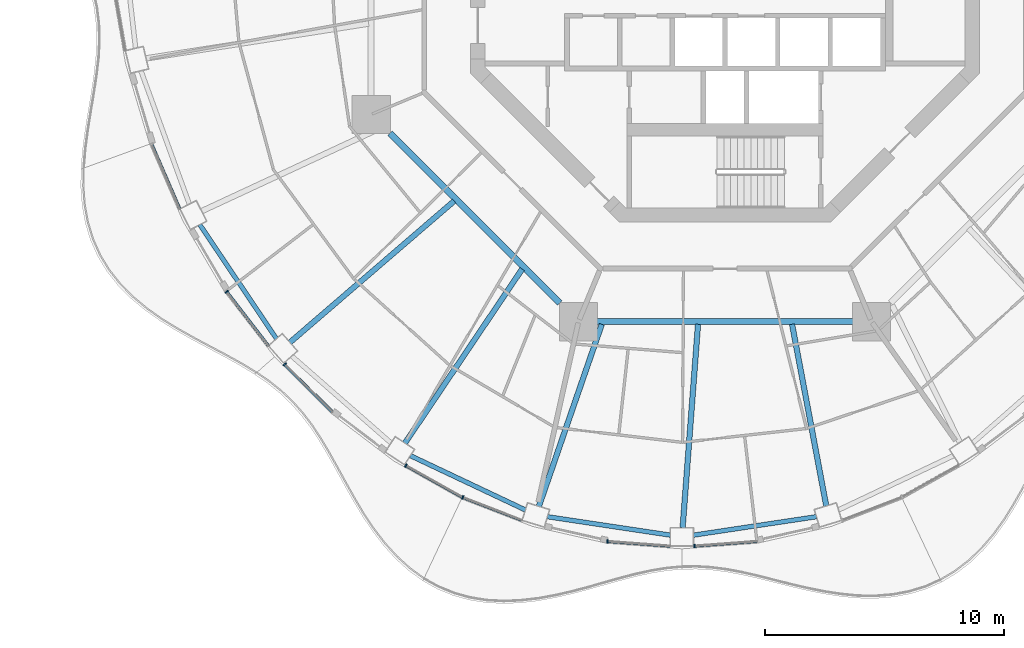
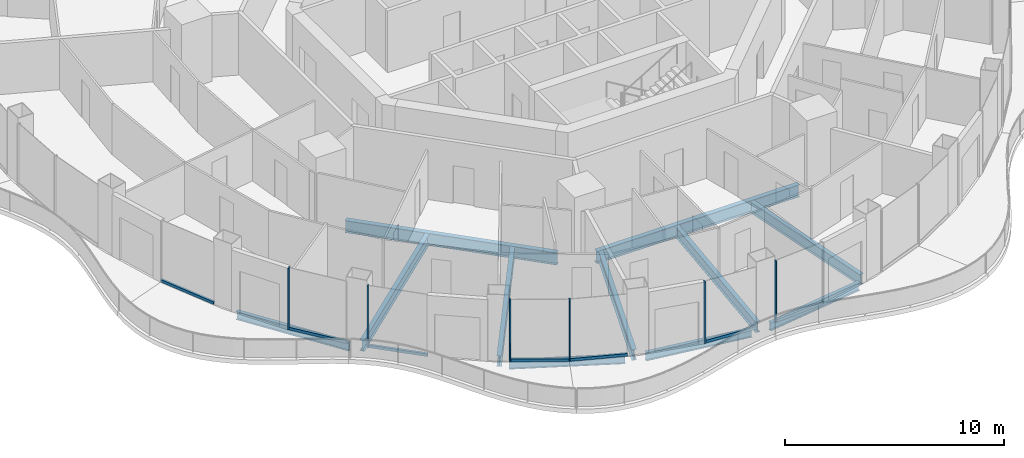
# One storey, part 2 of 18: 13 members, 11 beams, 7 elements without a shape of their own.
"""IFC4 building model written with IfcOpenShell, lengths in metres."""

from ifc_helpers import new_model, si_unit, direction, frame, origin, origin_2d, place, context, subcontext, project, spatial, rectangle, i_section, extrude, material, layer, layer_set, material_profile, profile_set, type_object, element, aggregate, save


model = new_model("IFC4")

# Units and contexts
model_context = context("Model", 3, precision=1e-05, world=origin(), true_north=direction((0.0, 1.0)))
body_context = subcontext(model_context, "Body", "Model", "MODEL_VIEW")
ifc_project = project(units=[si_unit("LENGTHUNIT", "METRE"), si_unit("AREAUNIT", "SQUARE_METRE"), si_unit("VOLUMEUNIT", "CUBIC_METRE"), si_unit("PLANEANGLEUNIT", "RADIAN"), si_unit("MASSUNIT", "GRAM", prefix="KILO")], contexts=[model_context])

# Site, building, storey
site_placement = place(None, origin())
site = spatial("IfcSite", under=ifc_project, at=site_placement, CompositionType="ELEMENT")
building_placement = place(site_placement, origin())
building = spatial("IfcBuilding", under=site, at=building_placement, Name="Nagisa Residences", CompositionType="ELEMENT")
storey_placement = place(building_placement, frame((0.0, 0.0, 234.39990234375)))
storey = spatial("IfcBuildingStorey", under=building, at=storey_placement, Name="L59", CompositionType="ELEMENT", Elevation=234.39990234375)

# Curtain wall, member
ifc_material_1 = material(Name="Concrete-coloured aluminium curtain wall system", Category="concrete")
ifc_layer = layer(ifc_material_1, 0.159912109375)
ifc_layer_set = layer_set([ifc_layer], Name="CW1 CURTAIN WALL")
curtain_wall_type = type_object("IfcCurtainWallType", Name="CW1 CURTAIN WALL", PredefinedType="NOTDEFINED", material=ifc_layer_set)
curtain_wall_1_placement = place(storey_placement, origin())
curtain_wall_1 = element("IfcCurtainWall", 1, at=curtain_wall_1_placement, inside=storey, type_object=curtain_wall_type, Name="cw:CW1:L59:29", PredefinedType="NOTDEFINED")
ifc_material_2 = material(Name="Concrete-coloured aluminium", Category="concrete")
ifc_material_profile_1 = material_profile(ifc_material_2, rectangle(XDim=0.159912109375, YDim=0.06005859375, at=origin_2d()), Name="CW1 MULLION 160x60")
ifc_profile_set_1 = profile_set([ifc_material_profile_1], Name="Concrete-coloured aluminium")
member_type_1 = type_object("IfcMemberType", Name="CW1 MULLION 160x60", PredefinedType="MULLION", material=ifc_profile_set_1)
member_1_placement = place(storey_placement, frame((-20.814453125, -13.53125, 0.0), z_axis=(0.0, 0.0, 1.0), x_axis=(0.792070340816, 0.610429828235, 0.0)))
member_1 = element("IfcMember", 2, at=member_1_placement, type_object=member_type_1, Name="CW1 mullion", PredefinedType="MULLION", context=body_context, shape_type="SweptSolid", body=[
    extrude(rectangle(XDim=0.159912109375, YDim=0.06005859375, at=origin_2d()), origin(), (0.0, 0.0, 1.0), 3.440185546875),
])

curtain_wall_2_placement = place(storey_placement, origin())
curtain_wall_2 = element("IfcCurtainWall", 3, at=curtain_wall_2_placement, inside=storey, type_object=curtain_wall_type, Name="cw:CW1:L59:30", PredefinedType="NOTDEFINED")
member_2_placement = place(storey_placement, frame((-18.388427734375, -16.567626953125, 0.0), z_axis=(0.0, 0.0, 1.0), x_axis=(0.706376885714, 0.707835924016, 0.0)))
member_2 = element("IfcMember", 4, at=member_2_placement, type_object=member_type_1, Name="CW1 mullion", PredefinedType="MULLION", context=body_context, shape_type="SweptSolid", body=[
    extrude(rectangle(XDim=0.159912109375, YDim=0.06005859375, at=origin_2d()), origin(), (0.0, 0.0, 1.0), 3.440185546875),
])

curtain_wall_3_placement = place(storey_placement, origin())
curtain_wall_3 = element("IfcCurtainWall", 5, at=curtain_wall_3_placement, inside=storey, type_object=curtain_wall_type, Name="cw:CW1:L59:32", PredefinedType="NOTDEFINED")
member_3_placement = place(storey_placement, frame((-13.333740234375, -20.792236328125, 0.0), z_axis=(0.0, 0.0, 1.0), x_axis=(0.489376918501, 0.872072377523, 0.0)))
member_3 = element("IfcMember", 6, at=member_3_placement, type_object=member_type_1, Name="CW1 mullion", PredefinedType="MULLION", context=body_context, shape_type="SweptSolid", body=[
    extrude(rectangle(XDim=0.159912109375, YDim=0.06005859375, at=origin_2d()), origin(), (0.0, 0.0, 1.0), 3.440185546875),
])

curtain_wall_4_placement = place(storey_placement, origin())
curtain_wall_4 = element("IfcCurtainWall", 7, at=curtain_wall_4_placement, inside=storey, type_object=curtain_wall_type, Name="cw:CW1:L59:33", PredefinedType="NOTDEFINED")
member_4_placement = place(storey_placement, frame((-10.954345703125, -22.12353515625, 0.0), z_axis=(0.0, 0.0, 1.0), x_axis=(0.360327770268, 0.932825759707, 0.0)))
member_4 = element("IfcMember", 8, at=member_4_placement, type_object=member_type_1, Name="CW1 mullion", PredefinedType="MULLION", context=body_context, shape_type="SweptSolid", body=[
    extrude(rectangle(XDim=0.159912109375, YDim=0.06005859375, at=origin_2d()), origin(), (0.0, 0.0, 1.0), 3.440185546875),
])

curtain_wall_5_placement = place(storey_placement, origin())
curtain_wall_5 = element("IfcCurtainWall", 9, at=curtain_wall_5_placement, inside=storey, type_object=curtain_wall_type, Name="cw:CW1:L59:35", PredefinedType="NOTDEFINED")
member_5_placement = place(storey_placement, frame((-4.906005859375, -23.96044921875, 0.0), z_axis=(0.0, 0.0, 1.0), x_axis=(0.074377355493, 0.997230168512, 0.0)))
member_5 = element("IfcMember", 10, at=member_5_placement, type_object=member_type_1, Name="CW1 mullion", PredefinedType="MULLION", context=body_context, shape_type="SweptSolid", body=[
    extrude(rectangle(XDim=0.159912109375, YDim=0.06005859375, at=origin_2d()), origin(), (0.0, 0.0, 1.0), 3.440185546875),
])

curtain_wall_6_placement = place(storey_placement, origin())
curtain_wall_6 = element("IfcCurtainWall", 11, at=curtain_wall_6_placement, inside=storey, type_object=curtain_wall_type, Name="cw:CW1:L59:36", PredefinedType="NOTDEFINED")
member_6_placement = place(storey_placement, frame((-1.27734375, -24.153076171875, 0.0), z_axis=(0.0, 0.0, 1.0), x_axis=(-0.074377355493, 0.997230168512, 0.0)))
member_6 = element("IfcMember", 12, at=member_6_placement, type_object=member_type_1, Name="CW1 mullion", PredefinedType="MULLION", context=body_context, shape_type="SweptSolid", body=[
    extrude(rectangle(XDim=0.159912109375, YDim=0.06005859375, at=origin_2d()), origin(), (0.0, 0.0, 1.0), 3.440185546875),
])

curtain_wall_7_placement = place(storey_placement, origin())
curtain_wall_7 = element("IfcCurtainWall", 13, at=curtain_wall_7_placement, inside=storey, type_object=curtain_wall_type, Name="cw:CW1:L59:27", PredefinedType="NOTDEFINED")
ifc_material_3 = material(Name="Concrete-coloured aluminium", Category="concrete")
ifc_material_profile_2 = material_profile(ifc_material_3, rectangle(XDim=0.1201171875, YDim=0.14990234375, at=origin_2d()), Name="CW1 TRANSOM 120x150")
ifc_profile_set_2 = profile_set([ifc_material_profile_2], Name="Concrete-coloured aluminium")
member_type_2 = type_object("IfcMemberType", Name="CW1 TRANSOM 120x150", PredefinedType="USERDEFINED", material=ifc_profile_set_2)
member_7_placement = place(storey_placement, frame((-23.96435546875, -7.332275390625, 0.0751953125), z_axis=(0.397616567135, -0.917551669139, 0.0), x_axis=(0.917551669139, 0.397616567135, 0.0)))
member_7 = element("IfcMember", 14, at=member_7_placement, type_object=member_type_2, Name="CW1 transom", ObjectType="TRANSOM", PredefinedType="USERDEFINED", context=body_context, shape_type="SweptSolid", body=[
    extrude(rectangle(XDim=0.1201171875, YDim=0.14990234375, at=origin_2d()), origin(), (0.0, 0.0, 1.0), 3.001953125),
])
aggregate(curtain_wall_7, [member_7])

# Member
member_8_placement = place(storey_placement, frame((-20.832763671875, -13.507568359375, 0.0751953125), z_axis=(0.610438565676, -0.792063607001, 0.0), x_axis=(0.792063607001, 0.610438565676, 0.0)))
member_8 = element("IfcMember", 15, at=member_8_placement, type_object=member_type_2, Name="CW1 transom", ObjectType="TRANSOM", PredefinedType="USERDEFINED", context=body_context, shape_type="SweptSolid", body=[
    extrude(rectangle(XDim=0.1201171875, YDim=0.14990234375, at=origin_2d()), origin(), (0.0, 0.0, 1.0), 2.90087890625),
])

aggregate(curtain_wall_1, [member_1, member_8])

member_9_placement = place(storey_placement, frame((-18.40966796875, -16.546630859375, 0.0751953125), z_axis=(0.707836044127, -0.706376765356, 0.0), x_axis=(0.706376765356, 0.707836044127, 0.0)))
member_9 = element("IfcMember", 16, at=member_9_placement, type_object=member_type_2, Name="CW1 transom", ObjectType="TRANSOM", PredefinedType="USERDEFINED", context=body_context, shape_type="SweptSolid", body=[
    extrude(rectangle(XDim=0.1201171875, YDim=0.14990234375, at=origin_2d()), origin(), (0.0, 0.0, 1.0), 2.84423828125),
])

aggregate(curtain_wall_2, [member_2, member_9])

member_10_placement = place(storey_placement, frame((-13.35986328125, -20.777587890625, 0.0751953125), z_axis=(0.872063230277, -0.489393218586, 0.0), x_axis=(0.489393218586, 0.872063230277, 0.0)))
member_10 = element("IfcMember", 17, at=member_10_placement, type_object=member_type_2, Name="CW1 transom", ObjectType="TRANSOM", PredefinedType="USERDEFINED", context=body_context, shape_type="SweptSolid", body=[
    extrude(rectangle(XDim=0.1201171875, YDim=0.14990234375, at=origin_2d()), origin(), (0.0, 0.0, 1.0), 2.73828125),
])

aggregate(curtain_wall_3, [member_3, member_10])

member_11_placement = place(storey_placement, frame((-10.982421875, -22.11279296875, 0.0751953125), z_axis=(0.932838255163, -0.360295420044, 0.0), x_axis=(0.360295420044, 0.932838255163, 0.0)))
member_11 = element("IfcMember", 18, at=member_11_placement, type_object=member_type_2, Name="CW1 transom", ObjectType="TRANSOM", PredefinedType="USERDEFINED", context=body_context, shape_type="SweptSolid", body=[
    extrude(rectangle(XDim=0.1201171875, YDim=0.14990234375, at=origin_2d()), origin(), (0.0, 0.0, 1.0), 2.6962890625),
])

aggregate(curtain_wall_4, [member_4, member_11])

member_12_placement = place(storey_placement, frame((-4.935791015625, -23.958251953125, 0.0751953125), z_axis=(0.997233213085, -0.074336523458, 0.0), x_axis=(0.074336523458, 0.997233213085, 0.0)))
member_12 = element("IfcMember", 19, at=member_12_placement, type_object=member_type_2, Name="CW1 transom", ObjectType="TRANSOM", PredefinedType="USERDEFINED", context=body_context, shape_type="SweptSolid", body=[
    extrude(rectangle(XDim=0.1201171875, YDim=0.14990234375, at=origin_2d()), origin(), (0.0, 0.0, 1.0), 2.650390625),
])

aggregate(curtain_wall_5, [member_5, member_12])

member_13_placement = place(storey_placement, frame((-1.307373046875, -24.1552734375, 0.0751953125), z_axis=(0.997233213085, 0.074336523458, 0.0), x_axis=(-0.074336523458, 0.997233213085, 0.0)))
member_13 = element("IfcMember", 20, at=member_13_placement, type_object=member_type_2, Name="CW1 transom", ObjectType="TRANSOM", PredefinedType="USERDEFINED", context=body_context, shape_type="SweptSolid", body=[
    extrude(rectangle(XDim=0.1201171875, YDim=0.14990234375, at=origin_2d()), origin(), (0.0, 0.0, 1.0), 2.650390625),
])

aggregate(curtain_wall_6, [member_6, member_13])

# Beams
ifc_material_4 = material(Name="Steel ASTM A572 Gr 50", Category="steel")
ifc_material_profile_3 = material_profile(ifc_material_4, i_section(OverallWidth=0.2529296875, OverallDepth=0.677978515625, WebThickness=0.01171875, FlangeThickness=0.016357421875, at=origin_2d()), Name="W690x125")
ifc_profile_set_3 = profile_set([ifc_material_profile_3], Name="Steel ASTM A572 Gr 50")
beam_type_1 = type_object("IfcBeamType", Name="Inner ring beam W690x125", PredefinedType="BEAM", material=ifc_profile_set_3)
beam_1_placement = place(storey_placement, frame((-13.99609375, -6.90869140625, -0.598876953125), z_axis=(0.707106781187, -0.707106781187, 0.0), x_axis=(0.707106781187, 0.707106781187, 0.0)))
element("IfcBeam", 21, at=beam_1_placement, inside=storey, type_object=beam_type_1, Name="beam:L59:ib5", PredefinedType="BEAM", context=body_context, shape_type="SweptSolid", body=[
    extrude(i_section(OverallWidth=0.2529296875, OverallDepth=0.677978515625, WebThickness=0.01171875, FlangeThickness=0.016357421875, at=origin_2d()), origin(), (0.0, 0.0, 1.0), 10.023193359375),
])
beam_2_placement = place(storey_placement, frame((-5.343017578125, -14.781982421875, -0.598876953125), z_axis=(1.0, 0.0, 0.0), x_axis=(0.0, 1.0, 0.0)))
element("IfcBeam", 22, at=beam_2_placement, inside=storey, type_object=beam_type_1, Name="beam:L59:ib6", PredefinedType="BEAM", context=body_context, shape_type="SweptSolid", body=[
    extrude(i_section(OverallWidth=0.2529296875, OverallDepth=0.677978515625, WebThickness=0.01171875, FlangeThickness=0.016357421875, at=origin_2d()), origin(), (0.0, 0.0, 1.0), 10.68603515625),
])
ifc_material_5 = material(Name="Steel ASTM A572 Gr 50", Category="steel")
ifc_material_profile_4 = material_profile(ifc_material_5, i_section(OverallWidth=0.18994140625, OverallDepth=0.45703125, WebThickness=0.009033203125, FlangeThickness=0.014404296875, at=origin_2d()), Name="W460x74")
ifc_profile_set_4 = profile_set([ifc_material_profile_4], Name="Steel ASTM A572 Gr 50")
beam_type_2 = type_object("IfcBeamType", Name="Perimeter ring beam W460x74", PredefinedType="BEAM", material=ifc_profile_set_4)
beam_3_placement = place(storey_placement, frame((-21.942138671875, -10.728759765625, -0.48828125), z_axis=(0.558079852096, -0.829787249049, 0.0), x_axis=(0.829787249049, 0.558079852096, 0.0)))
element("IfcBeam", 23, at=beam_3_placement, inside=storey, type_object=beam_type_2, Name="beam:L59:pb15", PredefinedType="BEAM", context=body_context, shape_type="SweptSolid", body=[
    extrude(i_section(OverallWidth=0.18994140625, OverallDepth=0.45703125, WebThickness=0.009033203125, FlangeThickness=0.014404296875, at=origin_2d()), origin(), (0.0, 0.0, 1.0), 5.743408203125),
])
beam_4_placement = place(storey_placement, frame((-13.146484375, -20.376953125, -0.48828125), z_axis=(0.904133867308, -0.42724928319, 0.0), x_axis=(0.42724928319, 0.904133867308, 0.0)))
element("IfcBeam", 24, at=beam_4_placement, inside=storey, type_object=beam_type_2, Name="beam:L59:pb17", PredefinedType="BEAM", context=body_context, shape_type="SweptSolid", body=[
    extrude(i_section(OverallWidth=0.18994140625, OverallDepth=0.45703125, WebThickness=0.009033203125, FlangeThickness=0.014404296875, at=origin_2d()), origin(), (0.0, 0.0, 1.0), 5.317138671875),
])
for number, where, z_axis, x_axis, name in (
    (25, (-7.42041015625, -22.92822265625, -0.48828125), (0.988909463745, -0.148519603133, 0.0), (0.148519603133, 0.988909463745, 0.0), "beam:L59:pb18"),
    (26, (-1.31982421875, -23.7001953125, -0.48828125), (0.988909463745, 0.148519603133, 0.0), (-0.148519603133, 0.988909463745, 0.0), "beam:L59:pb19"),
):
    element("IfcBeam", number, at=place(storey_placement, frame(where, z_axis=z_axis, x_axis=x_axis)), inside=storey, type_object=beam_type_2, Name=name, PredefinedType="BEAM", context=body_context, shape_type="SweptSolid", body=[
        extrude(i_section(OverallWidth=0.18994140625, OverallDepth=0.45703125, WebThickness=0.009033203125, FlangeThickness=0.014404296875, at=origin_2d()), origin(), (0.0, 0.0, 1.0), 5.19775390625),
    ])
ifc_material_6 = material(Name="Steel ASTM A572 Gr 50", Category="steel")
ifc_material_profile_5 = material_profile(ifc_material_6, i_section(OverallWidth=0.22802734375, OverallDepth=0.60302734375, WebThickness=0.010498046875, FlangeThickness=0.014892578125, at=origin_2d()), Name="W610x101")
ifc_profile_set_5 = profile_set([ifc_material_profile_5], Name="Steel ASTM A572 Gr 50")
beam_type_3 = type_object("IfcBeamType", Name="Radial beam W610x101", PredefinedType="BEAM", material=ifc_profile_set_5)
beam_5_placement = place(storey_placement, frame((-18.178466796875, -15.6484375, -0.5615234375), z_axis=(0.7578828397, 0.652390681485, 0.0), x_axis=(-0.652390681485, 0.7578828397, 0.0)))
element("IfcBeam", 27, at=beam_5_placement, inside=storey, type_object=beam_type_3, Name="beam:L59:rb16", PredefinedType="BEAM", context=body_context, shape_type="SweptSolid", body=[
    extrude(i_section(OverallWidth=0.22802734375, OverallDepth=0.60302734375, WebThickness=0.010498046875, FlangeThickness=0.014892578125, at=origin_2d()), origin(), (0.0, 0.0, 1.0), 9.055908203125),
])
beam_6_placement = place(storey_placement, frame((-13.372802734375, -19.8544921875, -0.5615234375), z_axis=(0.558639079644, 0.829410862416, 0.0), x_axis=(-0.829410862416, 0.558639079644, 0.0)))
element("IfcBeam", 28, at=beam_6_placement, inside=storey, type_object=beam_type_3, Name="beam:L59:rb17", PredefinedType="BEAM", context=body_context, shape_type="SweptSolid", body=[
    extrude(i_section(OverallWidth=0.22802734375, OverallDepth=0.60302734375, WebThickness=0.010498046875, FlangeThickness=0.014892578125, at=origin_2d()), origin(), (0.0, 0.0, 1.0), 8.7685546875),
])
beam_7_placement = place(storey_placement, frame((-7.776123046875, -22.49658203125, -0.5615234375), z_axis=(0.32669171318, 0.945130956291, 0.0), x_axis=(-0.945130956291, 0.32669171318, 0.0)))
element("IfcBeam", 29, at=beam_7_placement, inside=storey, type_object=beam_type_3, Name="beam:L59:rb18", PredefinedType="BEAM", context=body_context, shape_type="SweptSolid", body=[
    extrude(i_section(OverallWidth=0.22802734375, OverallDepth=0.60302734375, WebThickness=0.010498046875, FlangeThickness=0.014892578125, at=origin_2d()), origin(), (0.0, 0.0, 1.0), 8.048583984375),
])
beam_8_placement = place(storey_placement, frame((-1.771240234375, -23.392333984375, -0.5615234375), z_axis=(0.075492377513, 0.997146378892, 0.0), x_axis=(-0.997146378892, 0.075492377513, 0.0)))
element("IfcBeam", 30, at=beam_8_placement, inside=storey, type_object=beam_type_3, Name="beam:L59:rb19", PredefinedType="BEAM", context=body_context, shape_type="SweptSolid", body=[
    extrude(i_section(OverallWidth=0.22802734375, OverallDepth=0.60302734375, WebThickness=0.010498046875, FlangeThickness=0.014892578125, at=origin_2d()), origin(), (0.0, 0.0, 1.0), 8.528076171875),
])
beam_9_placement = place(storey_placement, frame((4.229736328125, -22.480224609375, -0.5615234375), z_axis=(-0.184925861179, 0.982752474363, 0.0), x_axis=(-0.982752474363, -0.184925861179, 0.0)))
element("IfcBeam", 31, at=beam_9_placement, inside=storey, type_object=beam_type_3, Name="beam:L59:rb20", PredefinedType="BEAM", context=body_context, shape_type="SweptSolid", body=[
    extrude(i_section(OverallWidth=0.22802734375, OverallDepth=0.60302734375, WebThickness=0.010498046875, FlangeThickness=0.014892578125, at=origin_2d()), origin(), (0.0, 0.0, 1.0), 7.724609375),
])

save(model, "model.ifc")
